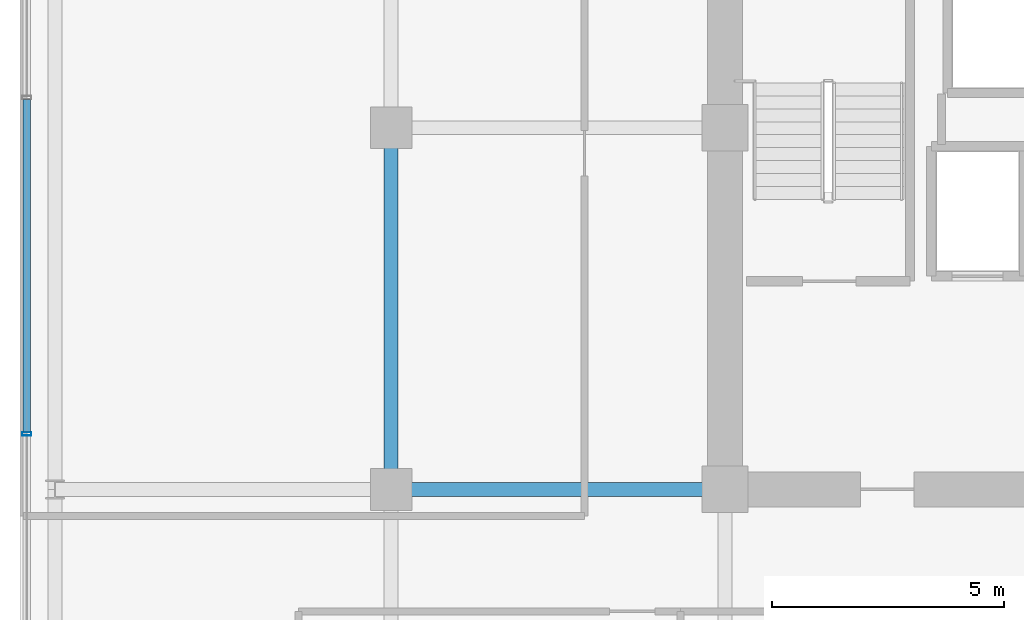
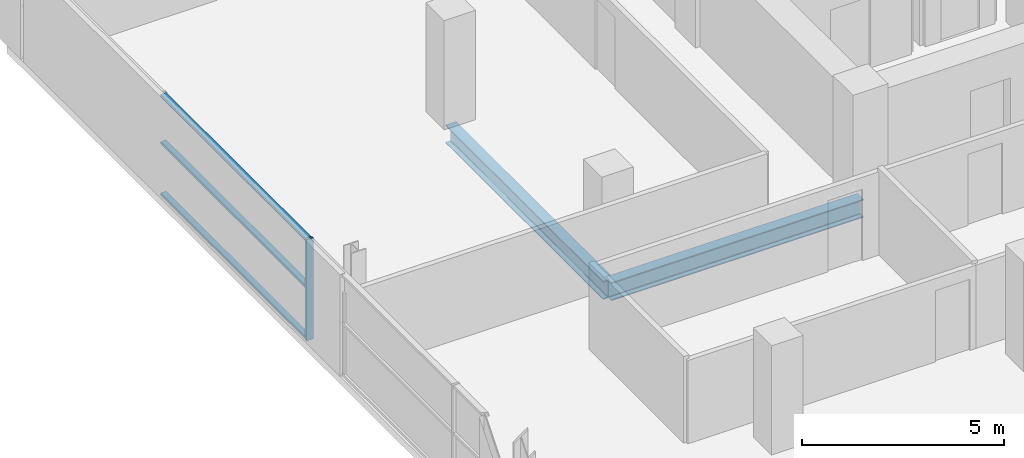
# One storey, part 8 of 25: 4 members, 2 beams, 1 element without a shape of its own.
"""IFC4 building model written with IfcOpenShell, lengths in metres."""

from ifc_helpers import new_model, si_unit, direction, frame, origin, origin_2d, place, context, subcontext, project, spatial, hollow_rectangle, i_section, extrude, source, transform, mapped, material, layer, layer_set, material_profile, profile_set, type_object, element, aggregate, save


model = new_model("IFC4")

# Units and contexts
model_context = context("Model", 3, precision=1e-05, world=origin(), true_north=direction((0.0, 1.0)))
body_context = subcontext(model_context, "Body", "Model", "MODEL_VIEW")
ifc_project = project(units=[si_unit("LENGTHUNIT", "METRE"), si_unit("AREAUNIT", "SQUARE_METRE"), si_unit("VOLUMEUNIT", "CUBIC_METRE"), si_unit("PLANEANGLEUNIT", "RADIAN"), si_unit("MASSUNIT", "GRAM", prefix="KILO")], contexts=[model_context])

# Site, building, storey
site_placement = place(None, origin())
site = spatial("IfcSite", under=ifc_project, at=site_placement, CompositionType="ELEMENT")
building_placement = place(site_placement, origin())
building = spatial("IfcBuilding", under=site, at=building_placement, Name="Zarnakvel Exchange Tower", CompositionType="ELEMENT")
storey_placement = place(building_placement, frame((0.0, 0.0, 100.0)))
storey = spatial("IfcBuildingStorey", under=building, at=storey_placement, Name="L27", CompositionType="ELEMENT", Elevation=100.0)

# Beams
ifc_material_1 = material(Name="Steel S355", Category="steel")
ifc_material_profile_1 = material_profile(ifc_material_1, i_section(OverallWidth=0.300048828125, OverallDepth=0.550048828125, WebThickness=0.014892578125, FlangeThickness=0.029052734375, FilletRadius=0.027099609375, at=origin_2d()))
ifc_profile_set_1 = profile_set([ifc_material_profile_1], Name="Steel S355")
beam_type = type_object("IfcBeamType", Name="G-05", PredefinedType="BEAM", material=ifc_profile_set_1)
beam_1_placement = place(storey_placement, frame((-21.60009765625, -1.199951171875, -0.5), z_axis=(1.0, 0.0, 0.0), x_axis=(0.0, 1.0, 0.0)))
element("IfcBeam", 1, at=beam_1_placement, inside=storey, type_object=beam_type, Name="L27 Tower E-W Frame Beam", PredefinedType="BEAM", context=body_context, shape_type="SweptSolid", body=[
    extrude(i_section(OverallWidth=0.300048828125, OverallDepth=0.550048828125, WebThickness=0.014892578125, FlangeThickness=0.029052734375, FilletRadius=0.027099609375, at=origin_2d()), origin(), (0.0, 0.0, 1.0), 7.2001953125),
])
beam_2_placement = place(storey_placement, frame((-21.60009765625, -1.199951171875, -0.5), z_axis=(0.0, 1.0, 0.0), x_axis=(-1.0, 0.0, 0.0)))
element("IfcBeam", 2, at=beam_2_placement, inside=storey, type_object=beam_type, Name="L27 Tower N-S Frame Beam", PredefinedType="BEAM", context=body_context, shape_type="SweptSolid", body=[
    extrude(i_section(OverallWidth=0.300048828125, OverallDepth=0.550048828125, WebThickness=0.014892578125, FlangeThickness=0.029052734375, FilletRadius=0.027099609375, at=origin_2d()), origin(), (0.0, 0.0, 1.0), 7.800048828125),
])

# Curtain wall, members
ifc_material_2 = material(Name="Architectural Bronze Anodised Aluminium", Category="aluminium")
ifc_layer = layer(ifc_material_2, 0.199951171875)
ifc_layer_set = layer_set([ifc_layer], Name="Architectural Bronze Anodised Aluminium")
curtain_wall_type = type_object("IfcCurtainWallType", Name="CW-04", PredefinedType="NOTDEFINED", material=ifc_layer_set)
curtain_wall_placement = place(storey_placement, origin())
curtain_wall = element("IfcCurtainWall", 3, at=curtain_wall_placement, inside=storey, type_object=curtain_wall_type, Name="L27 Curtain Wall CW-L27-W1 (CW-04)", PredefinedType="NOTDEFINED")
ifc_material_profile_2 = material_profile(ifc_material_2, hollow_rectangle(XDim=0.199951171875, YDim=0.074951171875, WallThickness=0.0048828125, at=origin_2d()))
ifc_profile_set_2 = profile_set([ifc_material_profile_2], Name="Architectural Bronze Anodised Aluminium")
member_type_1 = type_object("IfcMemberType", Name="CWM-04", PredefinedType="MULLION", material=ifc_profile_set_2)
shared_shape_1 = source(origin(), body_context, "Body", "SweptSolid", [
    extrude(hollow_rectangle(XDim=0.199951171875, YDim=0.074951171875, WallThickness=0.0048828125, at=origin_2d()), origin(), (0.0, 0.0, 1.0), 3.054931640625),
])
member_1_placement = place(storey_placement, frame((-29.4599609375, 0.0, 0.0), z_axis=(0.0, 0.0, 1.0), x_axis=(-1.0, 0.0, 0.0)))
member_1 = element("IfcMember", 4, at=member_1_placement, type_object=member_type_1, Name="CW-04 mullion 3", PredefinedType="MULLION", context=body_context, shape_type="MappedRepresentation", body=[
    mapped(shared_shape_1, transform((0.0, 0.0, 0.0), x_axis=(1.0, 0.0, 0.0), y_axis=(0.0, 1.0, 0.0), z_axis=(0.0, 0.0, 1.0), scale=1.0)),
])
ifc_material_profile_3 = material_profile(ifc_material_2, hollow_rectangle(XDim=0.159912109375, YDim=0.074951171875, WallThickness=0.00390625, at=origin_2d()))
ifc_profile_set_3 = profile_set([ifc_material_profile_3], Name="Architectural Bronze Anodised Aluminium")
member_type_2 = type_object("IfcMemberType", Name="CWT-04", PredefinedType="USERDEFINED", material=ifc_profile_set_3)
shared_shape_2 = source(origin(), body_context, "Body", "SweptSolid", [
    extrude(hollow_rectangle(XDim=0.159912109375, YDim=0.074951171875, WallThickness=0.00390625, at=origin_2d()), origin(), (0.0, 0.0, 1.0), 7.1748046875),
])
member_2_placement = place(storey_placement, frame((-29.4599609375, 0.03759765625, 0.03759765625), z_axis=(0.0, 1.0, 0.0), x_axis=(-1.0, 0.0, 0.0)))
member_2 = element("IfcMember", 5, at=member_2_placement, type_object=member_type_2, Name="CW-04 transom 3.1", ObjectType="TRANSOM", PredefinedType="USERDEFINED", context=body_context, shape_type="MappedRepresentation", body=[
    mapped(shared_shape_2, transform((0.0, 0.0, 0.0), x_axis=(1.0, 0.0, 0.0), y_axis=(0.0, 1.0, 0.0), z_axis=(0.0, 0.0, 1.0), scale=1.0)),
])
member_3_placement = place(storey_placement, frame((-29.4599609375, 0.03759765625, 1.588623046875), z_axis=(0.0, 1.0, 0.0), x_axis=(-1.0, 0.0, 0.0)))
member_3 = element("IfcMember", 6, at=member_3_placement, type_object=member_type_2, Name="CW-04 transom 3.2", ObjectType="TRANSOM", PredefinedType="USERDEFINED", context=body_context, shape_type="MappedRepresentation", body=[
    mapped(shared_shape_2, transform((0.0, 0.0, 0.0), x_axis=(1.0, 0.0, 0.0), y_axis=(0.0, 1.0, 0.0), z_axis=(0.0, 0.0, 1.0), scale=1.0)),
])
member_4_placement = place(storey_placement, frame((-29.4599609375, 0.03759765625, 3.017578125), z_axis=(0.0, 1.0, 0.0), x_axis=(-1.0, 0.0, 0.0)))
member_4 = element("IfcMember", 7, at=member_4_placement, type_object=member_type_2, Name="CW-04 transom 3.3", ObjectType="TRANSOM", PredefinedType="USERDEFINED", context=body_context, shape_type="MappedRepresentation", body=[
    mapped(shared_shape_2, transform((0.0, 0.0, 0.0), x_axis=(1.0, 0.0, 0.0), y_axis=(0.0, 1.0, 0.0), z_axis=(0.0, 0.0, 1.0), scale=1.0)),
])
aggregate(curtain_wall, [member_1, member_2, member_3, member_4])

save(model, "model.ifc")
